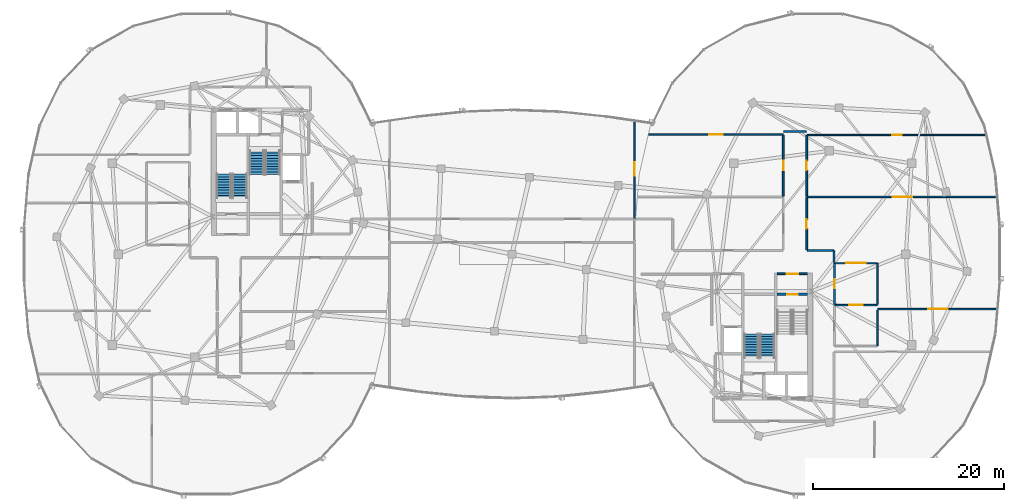
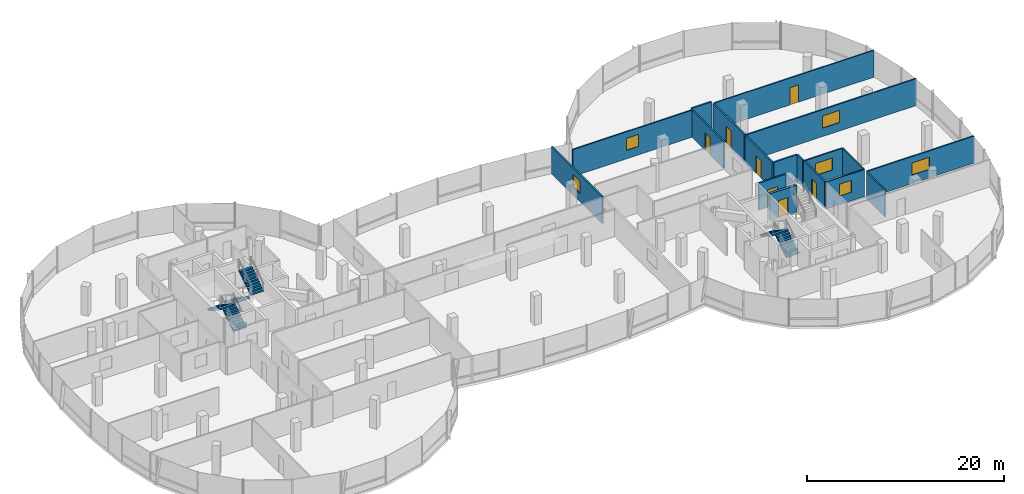
# One storey, part 17 of 26: 18 walls, 7 doors, 6 stair flights, 6 windows, 13 openings, 3 elements without a shape of their own.
"""IFC4 building model written with IfcOpenShell, lengths in metres."""

from ifc_helpers import new_model, si_unit, direction, frame, frame_2d, origin, place, context, subcontext, project, spatial, polyline, rectangle, outline, extrude, material, layer, layer_set, type_object, element, fill, aggregate, save


model = new_model("IFC4")

# Units and contexts
model_context = context("Model", 3, precision=1e-05, world=origin(), true_north=direction((0.0, 1.0)))
body_context = subcontext(model_context, "Body", "Model", "MODEL_VIEW")
ifc_project = project(units=[si_unit("LENGTHUNIT", "METRE"), si_unit("AREAUNIT", "SQUARE_METRE"), si_unit("VOLUMEUNIT", "CUBIC_METRE"), si_unit("PLANEANGLEUNIT", "RADIAN"), si_unit("MASSUNIT", "GRAM", prefix="KILO"), si_unit("THERMODYNAMICTEMPERATUREUNIT", "KELVIN"), si_unit("POWERUNIT", "WATT")], contexts=[model_context])

# Site, building, storey
site_placement = place(None, origin())
site = spatial("IfcSite", under=ifc_project, at=site_placement, CompositionType="ELEMENT")
building_placement = place(site_placement, origin())
building = spatial("IfcBuilding", under=site, at=building_placement, Name="Cundina Bronze Exchange", CompositionType="ELEMENT")
storey_placement = place(building_placement, frame((0.0, 0.0, 243.199951171875)))
storey = spatial("IfcBuildingStorey", under=building, at=storey_placement, Name="L64", CompositionType="ELEMENT", Elevation=243.199951171875)

# Wall, opening, door
ifc_material_1 = material(Name="Gypsum Fireboard Partition EI120")
ifc_layer_1 = layer(ifc_material_1, 0.179931640625, Name="Gypsum Fireboard Partition EI120")
ifc_layer_set_1 = layer_set([ifc_layer_1], Name="Gypsum Fireboard Partition EI120")
wall_type_1 = type_object("IfcWallType", Name="WL-COR-180", PredefinedType="PARTITIONING", material=ifc_layer_set_1)
wall_1_placement = place(storey_placement, frame((27.739990234375, -2.06005859375, 0.0), z_axis=(0.0, 0.0, 1.0), x_axis=(1.0, 0.0, 0.0)))
wall_1 = element("IfcWall", 1, at=wall_1_placement, inside=storey, type_object=wall_type_1, Name="L64 E Stair Vestibule Exit Wall", PredefinedType="PARTITIONING", context=body_context, shape_type="SweptSolid", body=[
    extrude(rectangle(XDim=3.159912109375, YDim=0.179931640625, at=frame_2d((1.580078125, 0.0))), origin(), (0.0, 0.0, 1.0), 3.340087890625),
])
opening_1_placement = place(wall_1_placement, frame((0.97998046875, 0.0, 0.0)))
opening_1 = element("IfcOpeningElement", 2, at=opening_1_placement, cuts=wall_1, Name="Opening DF-01", PredefinedType="OPENING", context=body_context, shape_type="SweptSolid", body=[
    extrude(rectangle(XDim=1.199951171875, YDim=2.14990234375, at=frame_2d((0.60009765625, 1.074951171875))), frame((0.0, 0.099853515625, 0.0), z_axis=(0.0, -1.0, 0.0), x_axis=(1.0, 0.0, 0.0)), (0.0, 0.0, 1.0), 0.199951171875),
])
ifc_material_2 = material(Name="Steel ASTM A36 Painted", Category="steel")
door_type_1 = type_object("IfcDoorType", Name="DR-FFL-1200", OperationType="NOTDEFINED", PredefinedType="DOOR", material=ifc_material_2)
door_1_placement = place(opening_1_placement, origin())
door_1 = element("IfcDoor", 3, at=door_1_placement, inside=storey, type_object=door_type_1, Name="L64 E Stair Vestibule Door", OperationType="SINGLE_SWING_RIGHT", OverallHeight=2.14990234375, OverallWidth=1.199951171875, PredefinedType="DOOR", context=body_context, shape_type="SweptSolid", body=[
    extrude(rectangle(XDim=1.199951171875, YDim=2.14990234375, at=frame_2d((0.60009765625, 1.074951171875))), frame((0.0, 0.02490234375, 0.0), z_axis=(0.0, -1.0, 0.0), x_axis=(1.0, 0.0, 0.0)), (0.0, 0.0, 1.0), 0.050048828125),
])
fill(opening_1, door_1)

wall_2_placement = place(storey_placement, frame((33.719970703125, -5.22998046875, 0.0), z_axis=(0.0, 0.0, 1.0), x_axis=(0.0, 1.0, 0.0)))
wall_2 = element("IfcWall", 4, at=wall_2_placement, inside=storey, type_object=wall_type_1, Name="L64 Interior Partition 045", PredefinedType="PARTITIONING", context=body_context, shape_type="SweptSolid", body=[
    extrude(rectangle(XDim=4.260009765625, YDim=0.179931640625, at=frame_2d((2.1298828125, 0.0))), origin(), (0.0, 0.0, 1.0), 3.340087890625),
])
opening_2_placement = place(wall_2_placement, frame((1.655029296875, 0.0, 0.0)))
opening_2 = element("IfcOpeningElement", 5, at=opening_2_placement, cuts=wall_2, Name="Opening DW-01", PredefinedType="OPENING", context=body_context, shape_type="SweptSolid", body=[
    extrude(rectangle(XDim=0.949951171875, YDim=2.10009765625, at=frame_2d((0.47509765625, 1.050048828125))), frame((0.0, 0.099853515625, 0.0), z_axis=(0.0, -1.0, 0.0), x_axis=(1.0, 0.0, 0.0)), (0.0, 0.0, 1.0), 0.199951171875),
])
ifc_material_3 = material(Name="Solid Andean Oak Timber Grade A", Category="wood")
door_type_2 = type_object("IfcDoorType", Name="DR-WC-950", OperationType="NOTDEFINED", PredefinedType="DOOR", material=ifc_material_3)
door_2_placement = place(opening_2_placement, origin())
door_2 = element("IfcDoor", 6, at=door_2_placement, inside=storey, type_object=door_type_2, Name="L64 Interior Door 045", OperationType="SINGLE_SWING_RIGHT", OverallHeight=2.10009765625, OverallWidth=0.949951171875, PredefinedType="DOOR", context=body_context, shape_type="SweptSolid", body=[
    extrude(rectangle(XDim=0.949951171875, YDim=2.10009765625, at=frame_2d((0.47509765625, 1.050048828125))), frame((0.0, 0.02490234375, 0.0), z_axis=(0.0, -1.0, 0.0), x_axis=(1.0, 0.0, 0.0)), (0.0, 0.0, 1.0), 0.050048828125),
])
fill(opening_2, door_2)

wall_3_placement = place(storey_placement, frame((30.820068359375, 0.449951171875, 0.0), z_axis=(0.0, 0.0, 1.0), x_axis=(0.0, 1.0, 0.0)))
wall_3 = element("IfcWall", 7, at=wall_3_placement, inside=storey, type_object=wall_type_1, Name="L64 Interior Partition 056", PredefinedType="PARTITIONING", context=body_context, shape_type="SweptSolid", body=[
    extrude(rectangle(XDim=5.43994140625, YDim=0.179931640625, at=frame_2d((2.719970703125, 0.0))), origin(), (0.0, 0.0, 1.0), 3.340087890625),
])
opening_3_placement = place(wall_3_placement, frame((2.219970703125, 0.0, 0.0)))
opening_3 = element("IfcOpeningElement", 8, at=opening_3_placement, cuts=wall_3, Name="Opening DO-01", PredefinedType="OPENING", context=body_context, shape_type="SweptSolid", body=[
    extrude(rectangle(XDim=1.0, YDim=2.14990234375, at=frame_2d((0.5, 1.074951171875))), frame((0.0, 0.099853515625, 0.0), z_axis=(0.0, -1.0, 0.0), x_axis=(1.0, 0.0, 0.0)), (0.0, 0.0, 1.0), 0.199951171875),
])
door_type_3 = type_object("IfcDoorType", Name="DR-OFF-1000", OperationType="NOTDEFINED", PredefinedType="DOOR", material=ifc_material_3)
door_3_placement = place(opening_3_placement, origin())
door_3 = element("IfcDoor", 9, at=door_3_placement, inside=storey, type_object=door_type_3, Name="L64 Interior Door 056", OperationType="SINGLE_SWING_LEFT", OverallHeight=2.14990234375, OverallWidth=1.0, PredefinedType="DOOR", context=body_context, shape_type="SweptSolid", body=[
    extrude(rectangle(XDim=1.0, YDim=2.14990234375, at=frame_2d((0.5, 1.074951171875))), frame((0.0, 0.02490234375, 0.0), z_axis=(0.0, -1.0, 0.0), x_axis=(1.0, 0.0, 0.0)), (0.0, 0.0, 1.0), 0.050048828125),
])
fill(opening_3, door_3)

# Walls
wall_4_placement = place(storey_placement, frame((33.62841796875, 0.3701171875, 0.0), z_axis=(0.0, 0.0, 1.0), x_axis=(-1.0, 0.0, 0.0)))
element("IfcWall", 10, at=wall_4_placement, inside=storey, type_object=wall_type_1, Name="L64 Interior Partition 057", PredefinedType="PARTITIONING", context=body_context, shape_type="SweptSolid", body=[
    extrude(rectangle(XDim=2.728515625, YDim=0.179931640625, at=frame_2d((1.3642578125, 0.0))), origin(), (0.0, 0.0, 1.0), 3.340087890625),
])
wall_5_placement = place(storey_placement, frame((33.669921875, -0.858642578125, 0.0), z_axis=(0.0, 0.0, 1.0), x_axis=(0.0, 1.0, 0.0)))
element("IfcWall", 11, at=wall_5_placement, inside=storey, type_object=wall_type_1, Name="L64 Interior Partition 058", PredefinedType="PARTITIONING", context=body_context, shape_type="SweptSolid", body=[
    extrude(rectangle(XDim=1.187255859375, YDim=0.179931640625, at=frame_2d((0.59375, 0.0))), origin(), (0.0, 0.0, 1.0), 3.340087890625),
])

# Wall, opening, door
wall_6_placement = place(storey_placement, frame((28.3798828125, 12.429931640625, 0.0), z_axis=(0.0, 0.0, 1.0), x_axis=(0.0, -1.0, 0.0)))
wall_6 = element("IfcWall", 12, at=wall_6_placement, inside=storey, type_object=wall_type_1, Name="L64 Interior Partition 063", PredefinedType="PARTITIONING", context=body_context, shape_type="SweptSolid", body=[
    extrude(rectangle(XDim=6.35986328125, YDim=0.179931640625, at=frame_2d((3.179931640625, 0.0))), origin(), (0.0, 0.0, 1.0), 3.340087890625),
])
opening_4_placement = place(wall_6_placement, frame((2.679931640625, 0.0, 0.0)))
opening_4 = element("IfcOpeningElement", 13, at=opening_4_placement, cuts=wall_6, Name="Opening DO-01", PredefinedType="OPENING", context=body_context, shape_type="SweptSolid", body=[
    extrude(rectangle(XDim=1.0, YDim=2.14990234375, at=frame_2d((0.5, 1.074951171875))), frame((0.0, 0.099853515625, 0.0), z_axis=(0.0, -1.0, 0.0), x_axis=(1.0, 0.0, 0.0)), (0.0, 0.0, 1.0), 0.199951171875),
])
door_4_placement = place(opening_4_placement, origin())
door_4 = element("IfcDoor", 14, at=door_4_placement, inside=storey, type_object=door_type_3, Name="L64 Interior Door 063", OperationType="SINGLE_SWING_RIGHT", OverallHeight=2.14990234375, OverallWidth=1.0, PredefinedType="DOOR", context=body_context, shape_type="SweptSolid", body=[
    extrude(rectangle(XDim=1.0, YDim=2.14990234375, at=frame_2d((0.5, 1.074951171875))), frame((0.0, 0.02490234375, 0.0), z_axis=(0.0, -1.0, 0.0), x_axis=(1.0, 0.0, 0.0)), (0.0, 0.0, 1.0), 0.050048828125),
])
fill(opening_4, door_4)

wall_7_placement = place(storey_placement, frame((30.820068359375, 6.070068359375, 0.0), z_axis=(0.0, 0.0, 1.0), x_axis=(0.0, 1.0, 0.0)))
wall_7 = element("IfcWall", 15, at=wall_7_placement, inside=storey, type_object=wall_type_1, Name="L64 Interior Partition 064", PredefinedType="PARTITIONING", context=body_context, shape_type="SweptSolid", body=[
    extrude(rectangle(XDim=6.35986328125, YDim=0.179931640625, at=frame_2d((3.179931640625, 0.0))), origin(), (0.0, 0.0, 1.0), 3.340087890625),
])
opening_5_placement = place(wall_7_placement, frame((2.679931640625, 0.0, 0.0)))
opening_5 = element("IfcOpeningElement", 16, at=opening_5_placement, cuts=wall_7, Name="Opening DO-01", PredefinedType="OPENING", context=body_context, shape_type="SweptSolid", body=[
    extrude(rectangle(XDim=1.0, YDim=2.14990234375, at=frame_2d((0.5, 1.074951171875))), frame((0.0, 0.099853515625, 0.0), z_axis=(0.0, -1.0, 0.0), x_axis=(1.0, 0.0, 0.0)), (0.0, 0.0, 1.0), 0.199951171875),
])
door_5_placement = place(opening_5_placement, origin())
door_5 = element("IfcDoor", 17, at=door_5_placement, inside=storey, type_object=door_type_3, Name="L64 Interior Door 064", OperationType="SINGLE_SWING_LEFT", OverallHeight=2.14990234375, OverallWidth=1.0, PredefinedType="DOOR", context=body_context, shape_type="SweptSolid", body=[
    extrude(rectangle(XDim=1.0, YDim=2.14990234375, at=frame_2d((0.5, 1.074951171875))), frame((0.0, 0.02490234375, 0.0), z_axis=(0.0, -1.0, 0.0), x_axis=(1.0, 0.0, 0.0)), (0.0, 0.0, 1.0), 0.050048828125),
])
fill(opening_5, door_5)

# Wall
wall_8_placement = place(storey_placement, frame((30.778564453125, 12.820068359375, 0.0), z_axis=(0.0, 0.0, 1.0), x_axis=(-1.0, 0.0, 0.0)))
element("IfcWall", 18, at=wall_8_placement, inside=storey, type_object=wall_type_1, Name="L64 Interior Partition 065", PredefinedType="PARTITIONING", context=body_context, shape_type="SweptSolid", body=[
    extrude(rectangle(XDim=2.357177734375, YDim=0.179931640625, at=frame_2d((1.1787109375, 0.0))), origin(), (0.0, 0.0, 1.0), 3.340087890625),
])

# Wall, opening, window
wall_9_placement = place(storey_placement, frame((12.800048828125, 3.739990234375, 0.0), z_axis=(0.0, 0.0, 1.0), x_axis=(0.0, 1.0, 0.0)))
wall_9 = element("IfcWall", 19, at=wall_9_placement, inside=storey, type_object=wall_type_1, Name="L64 Interior Partition 077", PredefinedType="PARTITIONING", context=body_context, shape_type="SweptSolid", body=[
    extrude(rectangle(XDim=10.3037109375, YDim=0.179931640625, at=frame_2d((5.15185546875, 0.0))), origin(), (0.0, 0.0, 1.0), 3.340087890625),
])
opening_6_placement = place(wall_9_placement, frame((4.451904296875, 0.0, 1.050048828125)))
opening_6 = element("IfcOpeningElement", 20, at=opening_6_placement, cuts=wall_9, Name="Opening WI-02", PredefinedType="OPENING", context=body_context, shape_type="SweptSolid", body=[
    extrude(rectangle(XDim=1.39990234375, YDim=1.5, at=frame_2d((0.699951171875, 0.75))), frame((0.0, 0.099853515625, 0.0), z_axis=(0.0, -1.0, 0.0), x_axis=(1.0, 0.0, 0.0)), (0.0, 0.0, 1.0), 0.199951171875),
])
ifc_material_4 = material(Name="Clear Low-E Insulating Glass 26mm", Category="glass")
window_type_1 = type_object("IfcWindowType", Name="WN-INT-1400", PartitioningType="SINGLE_PANEL", PredefinedType="WINDOW", material=ifc_material_4)
window_1_placement = place(opening_6_placement, origin())
window_1 = element("IfcWindow", 21, at=window_1_placement, inside=storey, type_object=window_type_1, Name="L64 Interior Acoustic Vision Window 077", OverallHeight=1.5, OverallWidth=1.39990234375, PartitioningType="SINGLE_PANEL", PredefinedType="WINDOW", context=body_context, shape_type="SweptSolid", body=[
    extrude(rectangle(XDim=1.39990234375, YDim=1.5, at=frame_2d((0.699951171875, 0.75))), frame((0.0, 0.030029296875, 0.0), z_axis=(0.0, -1.0, 0.0), x_axis=(1.0, 0.0, 0.0)), (0.0, 0.0, 1.0), 0.06005859375),
])
fill(opening_6, window_1)

# Wall, opening, door
ifc_material_5 = material(Name="Gypsum Acoustic Partition EI60")
ifc_layer_2 = layer(ifc_material_5, 0.125, Name="Gypsum Acoustic Partition EI60")
ifc_layer_set_2 = layer_set([ifc_layer_2], Name="Gypsum Acoustic Partition EI60")
wall_type_2 = type_object("IfcWallType", Name="WL-OFF-125", PredefinedType="PARTITIONING", material=ifc_layer_set_2)
wall_10_placement = place(storey_placement, frame((49.61865234375, 12.469970703125, 0.0), z_axis=(0.0, 0.0, 1.0), x_axis=(-1.0, 0.0, 0.0)))
wall_10 = element("IfcWall", 22, at=wall_10_placement, inside=storey, type_object=wall_type_2, Name="L64 Interior Partition 067", PredefinedType="PARTITIONING", context=body_context, shape_type="SweptSolid", body=[
    extrude(rectangle(XDim=18.71875, YDim=0.125, at=frame_2d((9.359375, 0.0))), origin(), (0.0, 0.0, 1.0), 3.340087890625),
])
opening_7_placement = place(wall_10_placement, frame((8.859375, 0.0, 0.0)))
opening_7 = element("IfcOpeningElement", 23, at=opening_7_placement, cuts=wall_10, Name="Opening DO-01", PredefinedType="OPENING", context=body_context, shape_type="SweptSolid", body=[
    extrude(rectangle(XDim=1.0, YDim=2.14990234375, at=frame_2d((0.5, 1.074951171875))), frame((0.0, 0.072509765625, 0.0), z_axis=(0.0, -1.0, 0.0), x_axis=(1.0, 0.0, 0.0)), (0.0, 0.0, 1.0), 0.14501953125),
])
door_6_placement = place(opening_7_placement, origin())
door_6 = element("IfcDoor", 24, at=door_6_placement, inside=storey, type_object=door_type_3, Name="L64 Interior Door 067", OperationType="SINGLE_SWING_RIGHT", OverallHeight=2.14990234375, OverallWidth=1.0, PredefinedType="DOOR", context=body_context, shape_type="SweptSolid", body=[
    extrude(rectangle(XDim=1.0, YDim=2.14990234375, at=frame_2d((0.5, 1.074951171875))), frame((0.0, 0.02490234375, 0.0), z_axis=(0.0, -1.0, 0.0), x_axis=(1.0, 0.0, 0.0)), (0.0, 0.0, 1.0), 0.050048828125),
])
fill(opening_7, door_6)

ifc_material_6 = material(Name="Concrete C50/60", Category="concrete")
ifc_layer_3 = layer(ifc_material_6, 0.300048828125, Name="Concrete C50/60", Category="concrete")
ifc_layer_set_3 = layer_set([ifc_layer_3], Name="Concrete C50/60")
wall_type_3 = type_object("IfcWallType", Name="WL-SHFT-300", PredefinedType="SHEAR", material=ifc_layer_set_3)
wall_11_placement = place(storey_placement, frame((27.739990234375, -4.199951171875, 0.0), z_axis=(0.0, 0.0, 1.0), x_axis=(1.0, 0.0, 0.0)))
wall_11 = element("IfcWall", 25, at=wall_11_placement, inside=storey, type_object=wall_type_3, Name="L64 Stair E1 Landing Wall", PredefinedType="SHEAR", context=body_context, shape_type="SweptSolid", body=[
    extrude(rectangle(XDim=3.159912109375, YDim=0.300048828125, at=frame_2d((1.580078125, 0.0))), origin(), (0.0, 0.0, 1.0), 3.340087890625),
])
opening_8_placement = place(wall_11_placement, frame((1.030029296875, 0.0, 0.0)))
opening_8 = element("IfcOpeningElement", 26, at=opening_8_placement, cuts=wall_11, Name="Opening DS-01", PredefinedType="OPENING", context=body_context, shape_type="SweptSolid", body=[
    extrude(rectangle(XDim=1.10009765625, YDim=2.14990234375, at=frame_2d((0.550048828125, 1.074951171875))), frame((0.0, 0.159912109375, 0.0), z_axis=(0.0, -1.0, 0.0), x_axis=(1.0, 0.0, 0.0)), (0.0, 0.0, 1.0), 0.320068359375),
])
door_type_4 = type_object("IfcDoorType", Name="DR-STR-1100", OperationType="NOTDEFINED", PredefinedType="DOOR", material=ifc_material_2)
door_7_placement = place(opening_8_placement, origin())
door_7 = element("IfcDoor", 27, at=door_7_placement, inside=storey, type_object=door_type_4, Name="L64 Smokeproof Stair E1 Door", OperationType="SINGLE_SWING_LEFT", OverallHeight=2.14990234375, OverallWidth=1.10009765625, PredefinedType="DOOR", context=body_context, shape_type="SweptSolid", body=[
    extrude(rectangle(XDim=1.10009765625, YDim=2.14990234375, at=frame_2d((0.550048828125, 1.074951171875))), frame((0.0, 0.02490234375, 0.0), z_axis=(0.0, -1.0, 0.0), x_axis=(1.0, 0.0, 0.0)), (0.0, 0.0, 1.0), 0.050048828125),
])
fill(opening_8, door_7)

# Wall, opening, window
ifc_layer_4 = layer(ifc_material_5, 0.14990234375, Name="Gypsum Acoustic Partition EI60")
ifc_layer_set_4 = layer_set([ifc_layer_4], Name="Gypsum Acoustic Partition EI60")
wall_type_4 = type_object("IfcWallType", Name="WL-TEN-150", PredefinedType="PARTITIONING", material=ifc_layer_set_4)
wall_12_placement = place(storey_placement, frame((30.85009765625, 5.97998046875, 0.0), z_axis=(0.0, 0.0, 1.0), x_axis=(1.0, 0.0, 0.0)))
wall_12 = element("IfcWall", 28, at=wall_12_placement, inside=storey, type_object=wall_type_4, Name="L64 Interior Partition 048", PredefinedType="PARTITIONING", context=body_context, shape_type="SweptSolid", body=[
    extrude(rectangle(XDim=19.985107421875, YDim=0.14990234375, at=frame_2d((9.99267578125, 0.0))), origin(), (0.0, 0.0, 1.0), 3.340087890625),
])
opening_9_placement = place(wall_12_placement, frame((8.992919921875, 0.0, 1.050048828125)))
opening_9 = element("IfcOpeningElement", 29, at=opening_9_placement, cuts=wall_12, Name="Opening WI-01", PredefinedType="OPENING", context=body_context, shape_type="SweptSolid", body=[
    extrude(rectangle(XDim=2.0, YDim=1.5, at=frame_2d((1.0, 0.75))), frame((0.0, 0.0849609375, 0.0), z_axis=(0.0, -1.0, 0.0), x_axis=(1.0, 0.0, 0.0)), (0.0, 0.0, 1.0), 0.169921875),
])
window_type_2 = type_object("IfcWindowType", Name="WN-INT-2000", PartitioningType="SINGLE_PANEL", PredefinedType="WINDOW", material=ifc_material_4)
window_2_placement = place(opening_9_placement, origin())
window_2 = element("IfcWindow", 30, at=window_2_placement, inside=storey, type_object=window_type_2, Name="L64 Interior Acoustic Vision Window 048", OverallHeight=1.5, OverallWidth=2.0, PartitioningType="SINGLE_PANEL", PredefinedType="WINDOW", context=body_context, shape_type="SweptSolid", body=[
    extrude(rectangle(XDim=2.0, YDim=1.5, at=frame_2d((1.0, 0.75))), frame((0.0, 0.030029296875, 0.0), z_axis=(0.0, -1.0, 0.0), x_axis=(1.0, 0.0, 0.0)), (0.0, 0.0, 1.0), 0.06005859375),
])
fill(opening_9, window_2)

wall_13_placement = place(storey_placement, frame((14.314208984375, 12.52001953125, 0.0), z_axis=(0.0, 0.0, 1.0), x_axis=(1.0, 0.0, 0.0)))
wall_13 = element("IfcWall", 31, at=wall_13_placement, inside=storey, type_object=wall_type_4, Name="L64 Interior Partition 049", PredefinedType="PARTITIONING", context=body_context, shape_type="SweptSolid", body=[
    extrude(rectangle(XDim=14.035888671875, YDim=0.14990234375, at=frame_2d((7.01806640625, 0.0))), origin(), (0.0, 0.0, 1.0), 3.340087890625),
])
opening_10_placement = place(wall_13_placement, frame((6.318115234375, 0.0, 1.050048828125)))
opening_10 = element("IfcOpeningElement", 32, at=opening_10_placement, cuts=wall_13, Name="Opening WI-02", PredefinedType="OPENING", context=body_context, shape_type="SweptSolid", body=[
    extrude(rectangle(XDim=1.39990234375, YDim=1.5, at=frame_2d((0.699951171875, 0.75))), frame((0.0, 0.0849609375, 0.0), z_axis=(0.0, -1.0, 0.0), x_axis=(1.0, 0.0, 0.0)), (0.0, 0.0, 1.0), 0.169921875),
])
window_3_placement = place(opening_10_placement, origin())
window_3 = element("IfcWindow", 33, at=window_3_placement, inside=storey, type_object=window_type_1, Name="L64 Interior Acoustic Vision Window 049", OverallHeight=1.5, OverallWidth=1.39990234375, PartitioningType="SINGLE_PANEL", PredefinedType="WINDOW", context=body_context, shape_type="SweptSolid", body=[
    extrude(rectangle(XDim=1.39990234375, YDim=1.5, at=frame_2d((0.699951171875, 0.75))), frame((0.0, 0.030029296875, 0.0), z_axis=(0.0, -1.0, 0.0), x_axis=(1.0, 0.0, 0.0)), (0.0, 0.0, 1.0), 0.06005859375),
])
fill(opening_10, window_3)

wall_14_placement = place(storey_placement, frame((38.27001953125, -5.760009765625, 0.0), z_axis=(0.0, 0.0, 1.0), x_axis=(1.0, 0.0, 0.0)))
wall_14 = element("IfcWall", 34, at=wall_14_placement, inside=storey, type_object=wall_type_4, Name="L64 Interior Partition 050", PredefinedType="PARTITIONING", context=body_context, shape_type="SweptSolid", body=[
    extrude(rectangle(XDim=12.583740234375, YDim=0.14990234375, at=frame_2d((6.2919921875, 0.0))), origin(), (0.0, 0.0, 1.0), 3.340087890625),
])
opening_11_placement = place(wall_14_placement, frame((5.2919921875, 0.0, 1.050048828125)))
opening_11 = element("IfcOpeningElement", 35, at=opening_11_placement, cuts=wall_14, Name="Opening WI-01", PredefinedType="OPENING", context=body_context, shape_type="SweptSolid", body=[
    extrude(rectangle(XDim=2.0, YDim=1.5, at=frame_2d((1.0, 0.75))), frame((0.0, 0.0849609375, 0.0), z_axis=(0.0, -1.0, 0.0), x_axis=(1.0, 0.0, 0.0)), (0.0, 0.0, 1.0), 0.169921875),
])
window_4_placement = place(opening_11_placement, origin())
window_4 = element("IfcWindow", 36, at=window_4_placement, inside=storey, type_object=window_type_2, Name="L64 Interior Acoustic Vision Window 050", OverallHeight=1.5, OverallWidth=2.0, PartitioningType="SINGLE_PANEL", PredefinedType="WINDOW", context=body_context, shape_type="SweptSolid", body=[
    extrude(rectangle(XDim=2.0, YDim=1.5, at=frame_2d((1.0, 0.75))), frame((0.0, 0.030029296875, 0.0), z_axis=(0.0, -1.0, 0.0), x_axis=(1.0, 0.0, 0.0)), (0.0, 0.0, 1.0), 0.06005859375),
])
fill(opening_11, window_4)

# Walls
ifc_material_7 = material(Name="Moisture-Resistant Masonry Block Grade M15", Category="masonry")
ifc_layer_5 = layer(ifc_material_7, 0.139892578125, Name="Moisture-Resistant Masonry Block Grade M15", Category="masonry")
ifc_layer_set_5 = layer_set([ifc_layer_5], Name="Moisture-Resistant Masonry Block Grade M15")
wall_type_5 = type_object("IfcWallType", Name="WL-WET-140", PredefinedType="PARTITIONING", material=ifc_layer_set_5)
wall_15_placement = place(storey_placement, frame((38.239990234375, -9.590087890625, 0.0), z_axis=(0.0, 0.0, 1.0), x_axis=(0.0, 1.0, 0.0)))
element("IfcWall", 37, at=wall_15_placement, inside=storey, type_object=wall_type_5, Name="L64 Interior Partition 040", PredefinedType="PARTITIONING", context=body_context, shape_type="SweptSolid", body=[
    extrude(rectangle(XDim=3.7451171875, YDim=0.139892578125, at=frame_2d((1.87255859375, 0.0))), origin(), (0.0, 0.0, 1.0), 3.340087890625),
])
wall_16_placement = place(storey_placement, frame((38.239990234375, -5.2451171875, 0.0), z_axis=(0.0, 0.0, 1.0), x_axis=(0.0, 1.0, 0.0)))
element("IfcWall", 38, at=wall_16_placement, inside=storey, type_object=wall_type_5, Name="L64 Interior Partition 041", PredefinedType="PARTITIONING", context=body_context, shape_type="SweptSolid", body=[
    extrude(rectangle(XDim=4.275146484375, YDim=0.139892578125, at=frame_2d((2.1376953125, 0.0))), origin(), (0.0, 0.0, 1.0), 3.340087890625),
])

# Wall, opening, window
wall_17_placement = place(storey_placement, frame((33.739990234375, -0.949951171875, 0.0), z_axis=(0.0, 0.0, 1.0), x_axis=(1.0, 0.0, 0.0)))
wall_17 = element("IfcWall", 39, at=wall_17_placement, inside=storey, type_object=wall_type_5, Name="L64 Interior Partition 042", PredefinedType="PARTITIONING", context=body_context, shape_type="SweptSolid", body=[
    extrude(rectangle(XDim=4.47998046875, YDim=0.139892578125, at=frame_2d((2.239990234375, 0.0))), origin(), (0.0, 0.0, 1.0), 3.340087890625),
])
opening_12_placement = place(wall_17_placement, frame((1.239990234375, 0.0, 1.050048828125)))
opening_12 = element("IfcOpeningElement", 40, at=opening_12_placement, cuts=wall_17, Name="Opening WI-01", PredefinedType="OPENING", context=body_context, shape_type="SweptSolid", body=[
    extrude(rectangle(XDim=2.0, YDim=1.5, at=frame_2d((1.0, 0.75))), frame((0.0, 0.079833984375, 0.0), z_axis=(0.0, -1.0, 0.0), x_axis=(1.0, 0.0, 0.0)), (0.0, 0.0, 1.0), 0.159912109375),
])
window_5_placement = place(opening_12_placement, origin())
window_5 = element("IfcWindow", 41, at=window_5_placement, inside=storey, type_object=window_type_2, Name="L64 Interior Acoustic Vision Window 042", OverallHeight=1.5, OverallWidth=2.0, PartitioningType="SINGLE_PANEL", PredefinedType="WINDOW", context=body_context, shape_type="SweptSolid", body=[
    extrude(rectangle(XDim=2.0, YDim=1.5, at=frame_2d((1.0, 0.75))), frame((0.0, 0.030029296875, 0.0), z_axis=(0.0, -1.0, 0.0), x_axis=(1.0, 0.0, 0.0)), (0.0, 0.0, 1.0), 0.06005859375),
])
fill(opening_12, window_5)

wall_18_placement = place(storey_placement, frame((33.739990234375, -5.330078125, 0.0), z_axis=(0.0, 0.0, 1.0), x_axis=(1.0, 0.0, 0.0)))
wall_18 = element("IfcWall", 42, at=wall_18_placement, inside=storey, type_object=wall_type_5, Name="L64 Interior Partition 043", PredefinedType="PARTITIONING", context=body_context, shape_type="SweptSolid", body=[
    extrude(rectangle(XDim=4.47998046875, YDim=0.139892578125, at=frame_2d((2.239990234375, 0.0))), origin(), (0.0, 0.0, 1.0), 3.340087890625),
])
opening_13_placement = place(wall_18_placement, frame((1.5400390625, 0.0, 1.050048828125)))
opening_13 = element("IfcOpeningElement", 43, at=opening_13_placement, cuts=wall_18, Name="Opening WI-02", PredefinedType="OPENING", context=body_context, shape_type="SweptSolid", body=[
    extrude(rectangle(XDim=1.39990234375, YDim=1.5, at=frame_2d((0.699951171875, 0.75))), frame((0.0, 0.079833984375, 0.0), z_axis=(0.0, -1.0, 0.0), x_axis=(1.0, 0.0, 0.0)), (0.0, 0.0, 1.0), 0.159912109375),
])
window_6_placement = place(opening_13_placement, origin())
window_6 = element("IfcWindow", 44, at=window_6_placement, inside=storey, type_object=window_type_1, Name="L64 Interior Acoustic Vision Window 043", OverallHeight=1.5, OverallWidth=1.39990234375, PartitioningType="SINGLE_PANEL", PredefinedType="WINDOW", context=body_context, shape_type="SweptSolid", body=[
    extrude(rectangle(XDim=1.39990234375, YDim=1.5, at=frame_2d((0.699951171875, 0.75))), frame((0.0, 0.030029296875, 0.0), z_axis=(0.0, -1.0, 0.0), x_axis=(1.0, 0.0, 0.0)), (0.0, 0.0, 1.0), 0.06005859375),
])
fill(opening_13, window_6)

# Stair, stair flights
ifc_material_8 = material(Name="Concrete C40/50", Category="concrete")
stair_type = type_object("IfcStairType", Name="STR-OFF-360", PredefinedType="HALF_TURN_STAIR", material=ifc_material_8)
stair_1_placement = place(storey_placement, origin())
stair_1 = element("IfcStair", 45, at=stair_1_placement, inside=storey, type_object=stair_type, Name="L64 Smokeproof Exit Stair W1", PredefinedType="HALF_TURN_STAIR")
stair_flight_type = type_object("IfcStairFlightType", Name="FLG-OFF-180", PredefinedType="STRAIGHT", material=ifc_material_8)
stair_flight_1_placement = place(storey_placement, frame((-28.489990234375, 5.85009765625, 0.0), z_axis=(0.0, 0.0, 1.0), x_axis=(0.0, 1.0, 0.0)))
stair_flight_1 = element("IfcStairFlight", 46, at=stair_flight_1_placement, type_object=stair_flight_type, Name="ST-W1 flight 1", NumberOfRisers=10, NumberOfTreads=9, PredefinedType="STRAIGHT", RiserHeight=0.18, TreadLength=0.28, context=body_context, shape_type="SweptSolid", body=[
    extrude(outline(polyline([(0.0, 0.0), (0.0, 0.179931640625), (0.280029296875, 0.179931640625), (0.280029296875, 0.360107421875), (0.56005859375, 0.360107421875), (0.56005859375, 0.5400390625), (0.840087890625, 0.5400390625), (0.840087890625, 0.719970703125), (1.1201171875, 0.719970703125), (1.1201171875, 0.89990234375), (1.39990234375, 0.89990234375), (1.39990234375, 1.080078125), (1.679931640625, 1.080078125), (1.679931640625, 1.260009765625), (1.9599609375, 1.260009765625), (1.9599609375, 1.43994140625), (2.239990234375, 1.43994140625), (2.239990234375, 1.6201171875), (2.52001953125, 1.6201171875), (2.52001953125, 1.800048828125), (2.52001953125, 1.44189453125), (0.277099609375, 0.0), (0.0, 0.0)])), frame((0.0, 0.75, 0.0), z_axis=(0.0, -1.0, 0.0), x_axis=(1.0, 0.0, 0.0)), (0.0, 0.0, 1.0), 1.5),
])
stair_flight_2_placement = place(storey_placement, frame((-30.14990234375, 8.3701171875, 1.800048828125), z_axis=(0.0, 0.0, 1.0), x_axis=(0.0, -1.0, 0.0)))
stair_flight_2 = element("IfcStairFlight", 47, at=stair_flight_2_placement, type_object=stair_flight_type, Name="ST-W1 flight 2", NumberOfRisers=10, NumberOfTreads=9, PredefinedType="STRAIGHT", RiserHeight=0.18, TreadLength=0.28, context=body_context, shape_type="SweptSolid", body=[
    extrude(outline(polyline([(0.0, 0.0), (0.0, 0.179931640625), (0.280029296875, 0.179931640625), (0.280029296875, 0.360107421875), (0.56005859375, 0.360107421875), (0.56005859375, 0.5400390625), (0.840087890625, 0.5400390625), (0.840087890625, 0.719970703125), (1.1201171875, 0.719970703125), (1.1201171875, 0.89990234375), (1.39990234375, 0.89990234375), (1.39990234375, 1.080078125), (1.679931640625, 1.080078125), (1.679931640625, 1.260009765625), (1.9599609375, 1.260009765625), (1.9599609375, 1.43994140625), (2.239990234375, 1.43994140625), (2.239990234375, 1.6201171875), (2.52001953125, 1.6201171875), (2.52001953125, 1.800048828125), (2.52001953125, 1.44189453125), (0.277099609375, 0.0), (0.0, 0.0)])), frame((0.0, 0.75, 0.0), z_axis=(0.0, -1.0, 0.0), x_axis=(1.0, 0.0, 0.0)), (0.0, 0.0, 1.0), 1.5),
])
aggregate(stair_1, [stair_flight_1, stair_flight_2])

stair_2_placement = place(storey_placement, origin())
stair_2 = element("IfcStair", 48, at=stair_2_placement, inside=storey, type_object=stair_type, Name="L64 Smokeproof Exit Stair W2", PredefinedType="HALF_TURN_STAIR")
stair_flight_3_placement = place(storey_placement, frame((-26.68994140625, 10.85009765625, 0.0), z_axis=(0.0, 0.0, 1.0), x_axis=(0.0, -1.0, 0.0)))
stair_flight_3 = element("IfcStairFlight", 49, at=stair_flight_3_placement, type_object=stair_flight_type, Name="ST-W2 flight 1", NumberOfRisers=10, NumberOfTreads=9, PredefinedType="STRAIGHT", RiserHeight=0.18, TreadLength=0.28, context=body_context, shape_type="SweptSolid", body=[
    extrude(outline(polyline([(0.0, 0.0), (0.0, 0.179931640625), (0.280029296875, 0.179931640625), (0.280029296875, 0.360107421875), (0.56005859375, 0.360107421875), (0.56005859375, 0.5400390625), (0.840087890625, 0.5400390625), (0.840087890625, 0.719970703125), (1.1201171875, 0.719970703125), (1.1201171875, 0.89990234375), (1.39990234375, 0.89990234375), (1.39990234375, 1.080078125), (1.679931640625, 1.080078125), (1.679931640625, 1.260009765625), (1.9599609375, 1.260009765625), (1.9599609375, 1.43994140625), (2.239990234375, 1.43994140625), (2.239990234375, 1.6201171875), (2.52001953125, 1.6201171875), (2.52001953125, 1.800048828125), (2.52001953125, 1.44189453125), (0.277099609375, 0.0), (0.0, 0.0)])), frame((0.0, 0.75, 0.0), z_axis=(0.0, -1.0, 0.0), x_axis=(1.0, 0.0, 0.0)), (0.0, 0.0, 1.0), 1.5),
])
stair_flight_4_placement = place(storey_placement, frame((-25.030029296875, 8.330078125, 1.800048828125), z_axis=(0.0, 0.0, 1.0), x_axis=(0.0, 1.0, 0.0)))
stair_flight_4 = element("IfcStairFlight", 50, at=stair_flight_4_placement, type_object=stair_flight_type, Name="ST-W2 flight 2", NumberOfRisers=10, NumberOfTreads=9, PredefinedType="STRAIGHT", RiserHeight=0.18, TreadLength=0.28, context=body_context, shape_type="SweptSolid", body=[
    extrude(outline(polyline([(0.0, 0.0), (0.0, 0.179931640625), (0.280029296875, 0.179931640625), (0.280029296875, 0.360107421875), (0.56005859375, 0.360107421875), (0.56005859375, 0.5400390625), (0.840087890625, 0.5400390625), (0.840087890625, 0.719970703125), (1.1201171875, 0.719970703125), (1.1201171875, 0.89990234375), (1.39990234375, 0.89990234375), (1.39990234375, 1.080078125), (1.679931640625, 1.080078125), (1.679931640625, 1.260009765625), (1.9599609375, 1.260009765625), (1.9599609375, 1.43994140625), (2.239990234375, 1.43994140625), (2.239990234375, 1.6201171875), (2.52001953125, 1.6201171875), (2.52001953125, 1.800048828125), (2.52001953125, 1.44189453125), (0.277099609375, 0.0), (0.0, 0.0)])), frame((0.0, 0.75, 0.0), z_axis=(0.0, -1.0, 0.0), x_axis=(1.0, 0.0, 0.0)), (0.0, 0.0, 1.0), 1.5),
])
aggregate(stair_2, [stair_flight_3, stair_flight_4])

stair_3_placement = place(storey_placement, origin())
stair_3 = element("IfcStair", 51, at=stair_3_placement, inside=storey, type_object=stair_type, Name="L64 Smokeproof Exit Stair E2", PredefinedType="HALF_TURN_STAIR")
stair_flight_5_placement = place(storey_placement, frame((26.68994140625, -10.85009765625, 0.0), z_axis=(0.0, 0.0, 1.0), x_axis=(0.0, 1.0, 0.0)))
stair_flight_5 = element("IfcStairFlight", 52, at=stair_flight_5_placement, type_object=stair_flight_type, Name="ST-E2 flight 1", NumberOfRisers=10, NumberOfTreads=9, PredefinedType="STRAIGHT", RiserHeight=0.18, TreadLength=0.28, context=body_context, shape_type="SweptSolid", body=[
    extrude(outline(polyline([(0.0, 0.0), (0.0, 0.179931640625), (0.280029296875, 0.179931640625), (0.280029296875, 0.360107421875), (0.56005859375, 0.360107421875), (0.56005859375, 0.5400390625), (0.840087890625, 0.5400390625), (0.840087890625, 0.719970703125), (1.1201171875, 0.719970703125), (1.1201171875, 0.89990234375), (1.39990234375, 0.89990234375), (1.39990234375, 1.080078125), (1.679931640625, 1.080078125), (1.679931640625, 1.260009765625), (1.9599609375, 1.260009765625), (1.9599609375, 1.43994140625), (2.239990234375, 1.43994140625), (2.239990234375, 1.6201171875), (2.52001953125, 1.6201171875), (2.52001953125, 1.800048828125), (2.52001953125, 1.44189453125), (0.277099609375, 0.0), (0.0, 0.0)])), frame((0.0, 0.75, 0.0), z_axis=(0.0, -1.0, 0.0), x_axis=(1.0, 0.0, 0.0)), (0.0, 0.0, 1.0), 1.5),
])
stair_flight_6_placement = place(storey_placement, frame((25.030029296875, -8.330078125, 1.800048828125), z_axis=(0.0, 0.0, 1.0), x_axis=(0.0, -1.0, 0.0)))
stair_flight_6 = element("IfcStairFlight", 53, at=stair_flight_6_placement, type_object=stair_flight_type, Name="ST-E2 flight 2", NumberOfRisers=10, NumberOfTreads=9, PredefinedType="STRAIGHT", RiserHeight=0.18, TreadLength=0.28, context=body_context, shape_type="SweptSolid", body=[
    extrude(outline(polyline([(0.0, 0.0), (0.0, 0.179931640625), (0.280029296875, 0.179931640625), (0.280029296875, 0.360107421875), (0.56005859375, 0.360107421875), (0.56005859375, 0.5400390625), (0.840087890625, 0.5400390625), (0.840087890625, 0.719970703125), (1.1201171875, 0.719970703125), (1.1201171875, 0.89990234375), (1.39990234375, 0.89990234375), (1.39990234375, 1.080078125), (1.679931640625, 1.080078125), (1.679931640625, 1.260009765625), (1.9599609375, 1.260009765625), (1.9599609375, 1.43994140625), (2.239990234375, 1.43994140625), (2.239990234375, 1.6201171875), (2.52001953125, 1.6201171875), (2.52001953125, 1.800048828125), (2.52001953125, 1.44189453125), (0.277099609375, 0.0), (0.0, 0.0)])), frame((0.0, 0.75, 0.0), z_axis=(0.0, -1.0, 0.0), x_axis=(1.0, 0.0, 0.0)), (0.0, 0.0, 1.0), 1.5),
])
aggregate(stair_3, [stair_flight_5, stair_flight_6])

save(model, "model.ifc")
